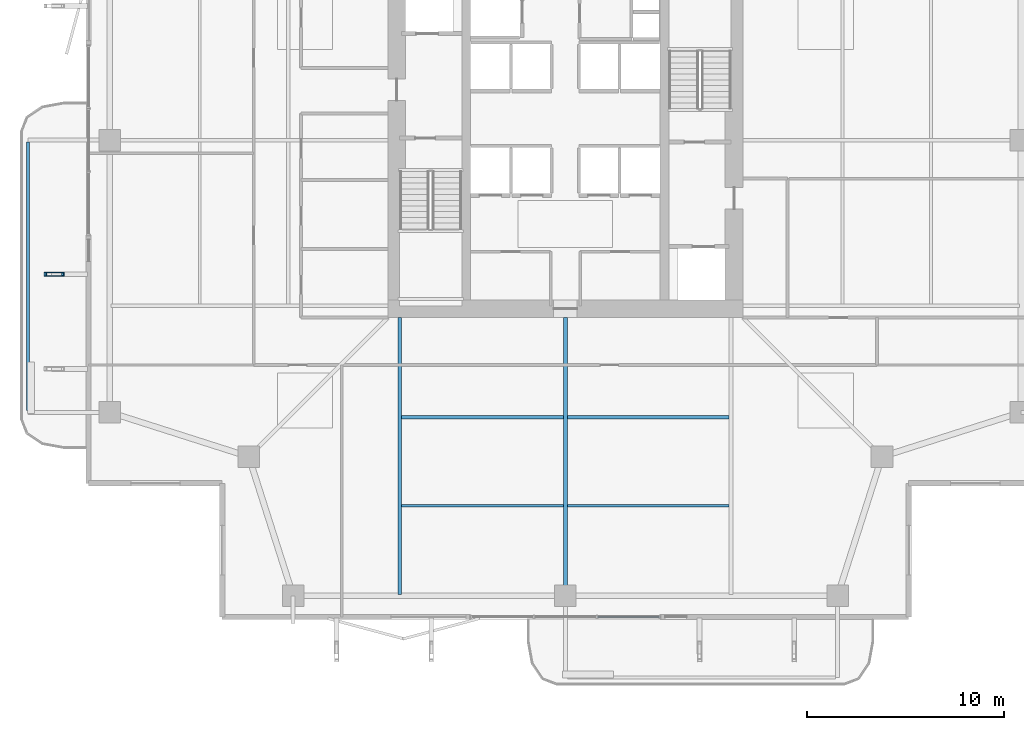
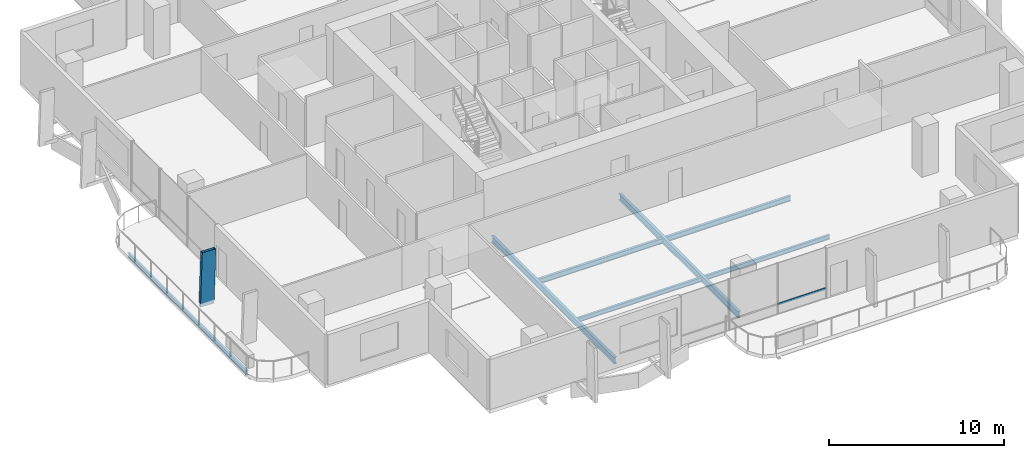
# One storey, part 3 of 24: 7 beams, 2 members, 1 element without a shape of its own.
"""IFC4 building model written with IfcOpenShell, lengths in metres."""

from ifc_helpers import new_model, si_unit, direction, frame, origin, origin_2d, place, context, subcontext, project, spatial, hollow_rectangle, i_section, extrude, material, layer, layer_set, material_profile, profile_set, type_object, element, aggregate, save


model = new_model("IFC4")

# Units and contexts
model_context = context("Model", 3, precision=1e-05, world=origin(), true_north=direction((0.0, 1.0)))
body_context = subcontext(model_context, "Body", "Model", "MODEL_VIEW")
ifc_project = project(units=[si_unit("LENGTHUNIT", "METRE"), si_unit("AREAUNIT", "SQUARE_METRE"), si_unit("VOLUMEUNIT", "CUBIC_METRE"), si_unit("PLANEANGLEUNIT", "RADIAN"), si_unit("MASSUNIT", "GRAM", prefix="KILO")], contexts=[model_context])

# Site, building, storey
site_placement = place(None, origin())
site = spatial("IfcSite", under=ifc_project, at=site_placement, CompositionType="ELEMENT")
building_placement = place(site_placement, origin())
building = spatial("IfcBuilding", under=site, at=building_placement, Name="Belovzor Exchange Tower", CompositionType="ELEMENT")
storey_placement = place(building_placement, frame((0.0, 0.0, 145.800048828125)))
storey = spatial("IfcBuildingStorey", under=building, at=storey_placement, Name="L35", CompositionType="ELEMENT", Elevation=145.800048828125)

# Beams
ifc_material_1 = material(Name="Steel S355", Category="steel")
ifc_material_profile_1 = material_profile(ifc_material_1, i_section(OverallWidth=0.14990234375, OverallDepth=0.300048828125, WebThickness=0.007080078125, FlangeThickness=0.0107421875, at=origin_2d()))
ifc_profile_set_1 = profile_set([ifc_material_profile_1], Name="Steel S355")
beam_type_1 = type_object("IfcBeamType", Name="Planted Balcony Fascia Edge Beam IPE 300", PredefinedType="BEAM", material=ifc_profile_set_1)
beam_1_placement = place(storey_placement, frame((1.547119140625, 28.699951171875, -0.405029296875), z_axis=(0.0, -1.0, 0.0), x_axis=(1.0, 0.0, 0.0)))
element("IfcBeam", 1, at=beam_1_placement, inside=storey, type_object=beam_type_1, Name="BC-300 Planted Balcony Fascia Edge Beam IPE 300", PredefinedType="BEAM", context=body_context, shape_type="SweptSolid", body=[
    extrude(i_section(OverallWidth=0.14990234375, OverallDepth=0.300048828125, WebThickness=0.007080078125, FlangeThickness=0.0107421875, at=origin_2d()), origin(), (0.0, 0.0, 1.0), 13.599853515625),
])
ifc_material_2 = material(Name="Steel S355", Category="steel")
ifc_material_profile_2 = material_profile(ifc_material_2, i_section(OverallWidth=0.169921875, OverallDepth=0.360107421875, WebThickness=0.008056640625, FlangeThickness=0.0126953125, at=origin_2d()))
ifc_profile_set_2 = profile_set([ifc_material_profile_2], Name="Steel S355")
beam_type_2 = type_object("IfcBeamType", Name="Secondary Infill Floor Joist IPE 360", PredefinedType="BEAM", material=ifc_profile_set_2)
for number, where, z_axis, x_axis, name in (
    (2, (20.4951171875, 14.7509765625, -0.43505859375), (1.0, 0.0, 0.0), (0.0, 1.0, 0.0), "FJ-360 Secondary Infill Floor Joist IPE 360"),
    (3, (28.89501953125, 14.7509765625, -0.43505859375), (1.0, 0.0, 0.0), (0.0, 1.0, 0.0), "FJ-360 Secondary Infill Floor Joist IPE 360"),
):
    element("IfcBeam", number, at=place(storey_placement, frame(where, z_axis=z_axis, x_axis=x_axis)), inside=storey, type_object=beam_type_2, Name=name, PredefinedType="BEAM", context=body_context, shape_type="SweptSolid", body=[
        extrude(i_section(OverallWidth=0.169921875, OverallDepth=0.360107421875, WebThickness=0.008056640625, FlangeThickness=0.0126953125, at=origin_2d()), origin(), (0.0, 0.0, 1.0), 8.2099609375),
    ])
ifc_material_3 = material(Name="Steel S355", Category="steel")
ifc_material_profile_3 = material_profile(ifc_material_3, i_section(OverallWidth=0.14990234375, OverallDepth=0.300048828125, WebThickness=0.007080078125, FlangeThickness=0.0107421875, at=origin_2d()))
ifc_profile_set_3 = profile_set([ifc_material_profile_3], Name="Steel S355")
beam_type_3 = type_object("IfcBeamType", Name="Secondary Trim Floor Joist IPE 300", PredefinedType="BEAM", material=ifc_profile_set_3)
for number, where, z_axis, x_axis, name in (
    (4, (20.4951171875, 10.262939453125, -0.405029296875), (1.0, 0.0, 0.0), (0.0, 1.0, 0.0), "FJ-300 Secondary Trim Floor Joist IPE 300"),
    (5, (28.89501953125, 10.262939453125, -0.405029296875), (1.0, 0.0, 0.0), (0.0, 1.0, 0.0), "FJ-300 Secondary Trim Floor Joist IPE 300"),
):
    element("IfcBeam", number, at=place(storey_placement, frame(where, z_axis=z_axis, x_axis=x_axis)), inside=storey, type_object=beam_type_3, Name=name, PredefinedType="BEAM", context=body_context, shape_type="SweptSolid", body=[
        extrude(i_section(OverallWidth=0.14990234375, OverallDepth=0.300048828125, WebThickness=0.007080078125, FlangeThickness=0.0107421875, at=origin_2d()), origin(), (0.0, 0.0, 1.0), 8.2099609375),
    ])

# Member
ifc_material_4 = material(Name="Extruded Architectural Terracotta on Steel S355 Carrier", Category="masonry")
ifc_material_profile_4 = material_profile(ifc_material_4, hollow_rectangle(XDim=0.199951171875, YDim=0.89990234375, WallThickness=0.011962890625, at=origin_2d()))
ifc_profile_set_4 = profile_set([ifc_material_profile_4], Name="Extruded Architectural Terracotta on Steel S355 Carrier")
member_type_1 = type_object("IfcMemberType", Name="Sweeping Terracotta Baguette Fin Assembly 1250", PredefinedType="USERDEFINED", material=ifc_profile_set_4)
member_1_placement = place(storey_placement, frame((2.81689453125, 22.0, -0.255126953125), z_axis=(0.031754810947, 0.0, 0.999495688826), x_axis=(0.0, 1.0, 0.0)))
element("IfcMember", 6, at=member_1_placement, inside=storey, type_object=member_type_1, Name="FIN-TC125 Terracotta Facade Fin L35 W2", ObjectType="FIN", PredefinedType="USERDEFINED", context=body_context, shape_type="SweptSolid", body=[
    extrude(hollow_rectangle(XDim=0.199951171875, YDim=0.89990234375, WallThickness=0.011962890625, at=origin_2d()), origin(), (0.0, 0.0, 1.0), 3.751953125),
])

# Curtain wall, member
ifc_material_5 = material(Name="Anodised Aluminium Framing", Category="aluminium")
ifc_layer = layer(ifc_material_5, 0.179931640625)
ifc_layer_set = layer_set([ifc_layer], Name="Anodised Aluminium Framing")
curtain_wall_type = type_object("IfcCurtainWallType", Name="Recessed Loggia Low-Iron Triple-Glazed Curtain Wall", PredefinedType="NOTDEFINED", material=ifc_layer_set)
curtain_wall_placement = place(storey_placement, origin())
curtain_wall = element("IfcCurtainWall", 7, at=curtain_wall_placement, inside=storey, type_object=curtain_wall_type, Name="CW3 Recessed Loggia Low-Iron Triple-Glazed Curtain Wall L35", PredefinedType="NOTDEFINED")
ifc_material_6 = material(Name="Steel S355", Category="steel")
ifc_material_profile_5 = material_profile(ifc_material_6, hollow_rectangle(XDim=0.06005859375, YDim=0.14990234375, WallThickness=0.00390625, at=origin_2d()))
ifc_profile_set_5 = profile_set([ifc_material_profile_5], Name="Steel S355")
member_type_2 = type_object("IfcMemberType", Name="Thermally Broken Curtain Wall Transom 150x60", PredefinedType="USERDEFINED", material=ifc_profile_set_5)
member_2_placement = place(storey_placement, frame((33.592041015625, 4.6298828125, 0.62890625), z_axis=(-1.0, 0.0, 0.0), x_axis=(0.0, -1.0, 0.0)))
member_2 = element("IfcMember", 8, at=member_2_placement, type_object=member_type_2, Name="CW-T150 Curtain Wall Transom 1", ObjectType="TRANSOM", PredefinedType="USERDEFINED", context=body_context, shape_type="SweptSolid", body=[
    extrude(hollow_rectangle(XDim=0.06005859375, YDim=0.14990234375, WallThickness=0.00390625, at=origin_2d()), origin(), (0.0, 0.0, 1.0), 3.18408203125),
])
aggregate(curtain_wall, [member_2])

# Beams
ifc_material_7 = material(Name="Steel S355", Category="steel")
ifc_material_profile_6 = material_profile(ifc_material_7, i_section(OverallWidth=0.18994140625, OverallDepth=0.449951171875, WebThickness=0.009521484375, FlangeThickness=0.0146484375, at=origin_2d()))
ifc_profile_set_6 = profile_set([ifc_material_profile_6], Name="Steel S355")
beam_type_4 = type_object("IfcBeamType", Name="Zone 2-4 Radial Composite Floor Beam IPE 450", PredefinedType="BEAM", material=ifc_profile_set_6)
beam_2_placement = place(storey_placement, frame((20.39990234375, 19.800048828125, -0.47998046875), z_axis=(0.0, -1.0, 0.0), x_axis=(1.0, 0.0, 0.0)))
element("IfcBeam", 9, at=beam_2_placement, inside=storey, type_object=beam_type_4, Name="FB-450 Zone 2-4 Radial Composite Floor Beam IPE 450", PredefinedType="BEAM", context=body_context, shape_type="SweptSolid", body=[
    extrude(i_section(OverallWidth=0.18994140625, OverallDepth=0.449951171875, WebThickness=0.009521484375, FlangeThickness=0.0146484375, at=origin_2d()), origin(), (0.0, 0.0, 1.0), 14.025146484375),
])
beam_3_placement = place(storey_placement, frame((28.800048828125, 19.800048828125, -0.47998046875), z_axis=(0.0, -1.0, 0.0), x_axis=(1.0, 0.0, 0.0)))
element("IfcBeam", 10, at=beam_3_placement, inside=storey, type_object=beam_type_4, Name="FB-450 Zone 2-4 Radial Composite Floor Beam IPE 450", PredefinedType="BEAM", context=body_context, shape_type="SweptSolid", body=[
    extrude(i_section(OverallWidth=0.18994140625, OverallDepth=0.449951171875, WebThickness=0.009521484375, FlangeThickness=0.0146484375, at=origin_2d()), origin(), (0.0, 0.0, 1.0), 13.615966796875),
])

save(model, "model.ifc")
